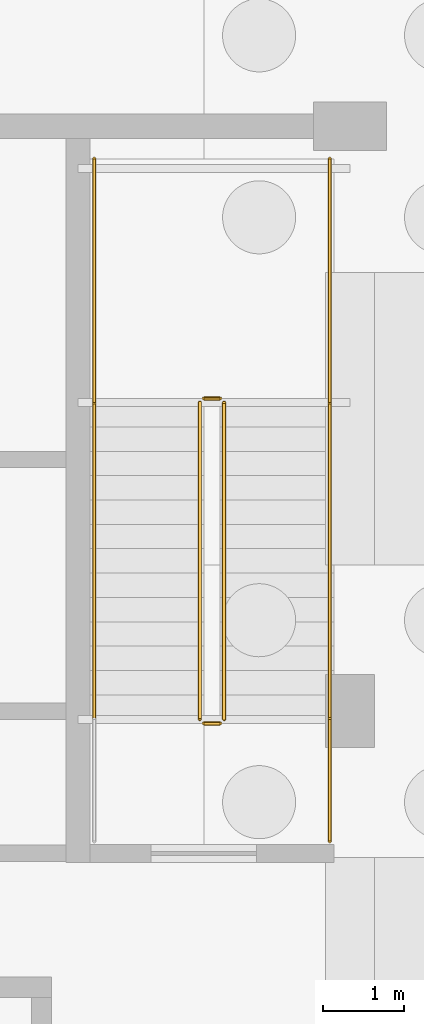
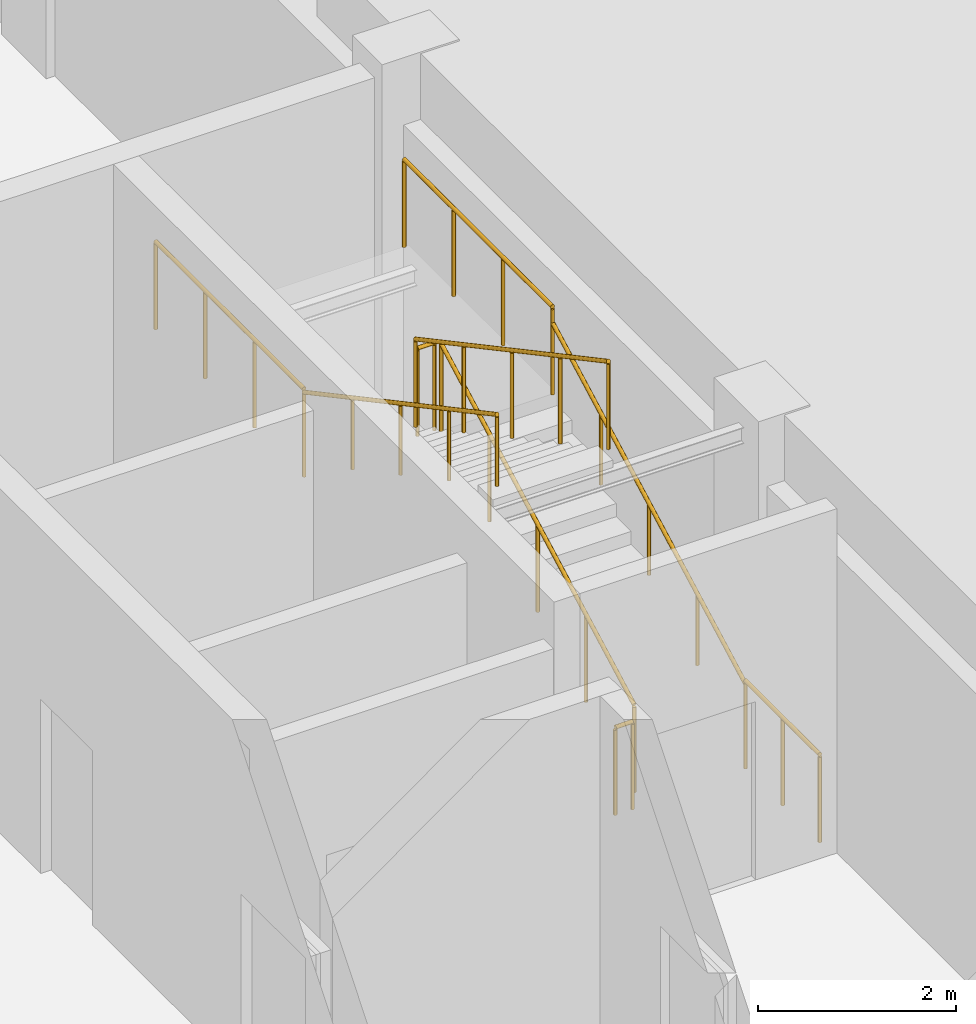
# One storey, part 42 of 51: 9 railings.
"""IFC4 building model written with IfcOpenShell, lengths in metres."""

import ifcopenshell
import ifcopenshell.guid

model = None  # the IFC model being written
_history = None  # IfcOwnerHistory: only IFC2X3 demands one
_inside = {}  # id of a spatial element -> (the spatial element, [elements in it])
_under = {}  # id of a project, library or spatial element -> (it, [spatial elements below it])
_declared = {}  # id of a project -> (the project, [libraries it declares])
_typed = {}  # id of a type object -> (the type object, [elements of that type])
_made_of = {}  # id of a material, layer set ... -> (it, [elements and type objects made of it])


def new_model(schema):
    """Start an empty IFC model of exactly this schema.

    Asked for "IFC4X3", IfcOpenShell would pick the latest addendum, in which some entities
    have other attributes; the version numbers below select the first issue.
    IFC2X3 requires an IfcOwnerHistory on every rooted entity: one is made here for all.
    """
    global model, _history
    if schema == "IFC4X3":
        model = ifcopenshell.file(schema_version=(4, 3, 0, 0))
    else:
        model = ifcopenshell.file(schema=schema)
    _inside.clear()
    _under.clear()
    _declared.clear()
    _typed.clear()
    _made_of.clear()
    _history = None
    if model.schema == "IFC2X3":
        org = make("IfcOrganization", Name="unknown")
        user = make(
            "IfcPersonAndOrganization",
            ThePerson=make("IfcPerson", FamilyName="unknown"),
            TheOrganization=org,
        )
        app = make(
            "IfcApplication",
            ApplicationDeveloper=org,
            Version="unknown",
            ApplicationFullName="unknown",
            ApplicationIdentifier="unknown",
        )
        _history = make(
            "IfcOwnerHistory",
            OwningUser=user,
            OwningApplication=app,
            ChangeAction="ADDED",
            CreationDate=0,
        )
    return model


def make(cls, **values):
    """One entity of the class cls with the attributes given. An attribute that is None is left unset."""
    return model.create_entity(
        cls, **{name: value for name, value in values.items() if value is not None}
    )


def rooted(cls, **values):
    """An entity with a GlobalId (a new one), such as an element, a storey or a relation."""
    return make(cls, GlobalId=ifcopenshell.guid.new(), OwnerHistory=_history, **values)


def si_unit(unit_type, name, prefix=None):
    """IfcSIUnit, for example si_unit("LENGTHUNIT", "METRE", prefix="MILLI")."""
    return make("IfcSIUnit", UnitType=unit_type, Prefix=prefix, Name=name)


def assignment(units):
    """IfcUnitAssignment: the units of a project."""
    return None if units is None else make("IfcUnitAssignment", Units=units)


def point(xyz):
    """IfcCartesianPoint."""
    return None if xyz is None else make("IfcCartesianPoint", Coordinates=xyz)


def direction(xyz):
    """IfcDirection."""
    return None if xyz is None else make("IfcDirection", DirectionRatios=xyz)


def frame(location, z_axis=None, x_axis=None):
    """IfcAxis2Placement3D, a coordinate frame: its origin and axes. An axis left out is left unset."""
    return make(
        "IfcAxis2Placement3D",
        Location=point(location),
        Axis=direction(z_axis),
        RefDirection=direction(x_axis),
    )


def frame_2d(location, x_axis=None):
    """IfcAxis2Placement2D, a coordinate frame in the plane: its origin and x axis."""
    return make(
        "IfcAxis2Placement2D", Location=point(location), RefDirection=direction(x_axis)
    )


def origin():
    """The frame at (0, 0, 0) with its axes left unset."""
    return frame((0.0, 0.0, 0.0))


def origin_2d():
    """The frame at (0, 0) in the plane with its x axis left unset."""
    return frame_2d((0.0, 0.0))


def place(relative_to, where):
    """IfcLocalPlacement: puts the frame where relative to a parent placement (None: the world)."""
    return make(
        "IfcLocalPlacement", PlacementRelTo=relative_to, RelativePlacement=where
    )


def context(
    kind, dimensions, precision=None, world=None, true_north=None, identifier=None
):
    """IfcGeometricRepresentationContext, for example the 3D "Model" context."""
    return make(
        "IfcGeometricRepresentationContext",
        ContextIdentifier=identifier,
        ContextType=kind,
        CoordinateSpaceDimension=dimensions,
        Precision=precision,
        WorldCoordinateSystem=world,
        TrueNorth=true_north,
    )


def subcontext(parent, identifier, kind, view, scale=None):
    """IfcGeometricRepresentationSubContext, for example "Body" below "Model"."""
    return make(
        "IfcGeometricRepresentationSubContext",
        ContextIdentifier=identifier,
        ContextType=kind,
        ParentContext=parent,
        TargetScale=scale,
        TargetView=view,
    )


def project(units=None, contexts=None):
    """IfcProject with its units and contexts."""
    return rooted(
        "IfcProject",
        Name="project",
        RepresentationContexts=contexts,
        UnitsInContext=assignment(units),
    )


def spatial(cls, under=None, at=None, **own):
    """A site, building, storey or space (cls), placed at a placement, below another one or the project."""
    s = rooted(cls, ObjectPlacement=at, **own)
    if under is not None:
        _under.setdefault(under.id(), (under, []))[1].append(s)
    return s


def profile(cls, at=None, kind="AREA", **sizes):
    """A parametric profile (cls). Its sizes go by their IFC names, for example OverallWidth=200.0."""
    return make(cls, ProfileType=kind, Position=at, **sizes)


def circle(**sizes):
    """IfcCircleProfileDef."""
    return profile("IfcCircleProfileDef", **sizes)


def extrude(swept, where, along, depth):
    """IfcExtrudedAreaSolid: the profile swept, set in the frame where, extruded along a direction by depth."""
    return make(
        "IfcExtrudedAreaSolid",
        SweptArea=swept,
        Position=where,
        ExtrudedDirection=direction(along),
        Depth=depth,
    )


def shape(context_of_items, identifier, shape_type, items):
    """IfcShapeRepresentation: the items that make up one representation, for example the "Body"."""
    return make(
        "IfcShapeRepresentation",
        ContextOfItems=context_of_items,
        RepresentationIdentifier=identifier,
        RepresentationType=shape_type,
        Items=items,
    )


def material(Name=None, Category=None):
    """IfcMaterial."""
    return make("IfcMaterial", Name=Name, Category=Category)


def made_of(thing, what):
    """Note that an element or type object is made of a material, layer set ...; save() writes the relation."""
    if what is not None:
        _made_of.setdefault(what.id(), (what, []))[1].append(thing)
    return thing


def type_object(cls, material=None, **own):
    """A type object (cls), such as IfcWallType, which elements share."""
    return made_of(rooted(cls, **own), material)


def element(
    cls,
    number,
    at=None,
    inside=None,
    cuts=None,
    type_object=None,
    material=None,
    context=None,
    identifier="Body",
    shape_type=None,
    held_by="IfcProductDefinitionShape",
    body=None,
    shapes=None,
    **own,
):
    """One element of the class cls, such as IfcWall. Its Tag is "e" and its number.

    at: its placement. inside: the storey or other place that contains it. cuts: it is an
    opening in that element (IfcRelVoidsElement). A single representation is given by context,
    identifier, shape_type and body (its items); several are given by shapes. held_by: the class
    of the entity that holds the representations. save() writes the other relations.
    """
    e = rooted(cls, Tag="e%d" % number, ObjectPlacement=at, **own)
    if body is not None:
        shapes = [shape(context, identifier, shape_type, body)]
    if shapes is not None:
        e.Representation = make(held_by, Representations=shapes)
    if inside is not None:
        _inside.setdefault(inside.id(), (inside, []))[1].append(e)
    if cuts is not None:
        rooted(
            "IfcRelVoidsElement", RelatingBuildingElement=cuts, RelatedOpeningElement=e
        )
    if type_object is not None:
        _typed.setdefault(type_object.id(), (type_object, []))[1].append(e)
    return made_of(e, material)


def aggregate(whole, parts):
    """IfcRelAggregates: a whole, such as a stair, and the parts it consists of."""
    return rooted("IfcRelAggregates", RelatingObject=whole, RelatedObjects=parts)


def save(model, path):
    """Write the relations noted so far, then the file.

    IfcRelAggregates (storeys below a building ...), IfcRelContainedInSpatialStructure (elements
    in a storey), IfcRelDefinesByType, IfcRelAssociatesMaterial and IfcRelDeclares: one each for
    every whole, place, type object, material and project.
    """
    for whole, parts in _under.values():
        aggregate(whole, parts)
    for where, things in _inside.values():
        rooted(
            "IfcRelContainedInSpatialStructure",
            RelatedElements=things,
            RelatingStructure=where,
        )
    for kind, things in _typed.values():
        rooted("IfcRelDefinesByType", RelatedObjects=things, RelatingType=kind)
    for what, things in _made_of.values():
        rooted("IfcRelAssociatesMaterial", RelatedObjects=things, RelatingMaterial=what)
    for by, libraries in _declared.values():
        rooted("IfcRelDeclares", RelatingContext=by, RelatedDefinitions=libraries)
    model.write(path)


model = new_model("IFC4")

# Units and contexts
model_context = context("Model", 3, precision=1e-05, world=origin(), true_north=direction((0.0, 1.0)))
body_context = subcontext(model_context, "Body", "Model", "MODEL_VIEW")
ifc_project = project(units=[si_unit("LENGTHUNIT", "METRE"), si_unit("AREAUNIT", "SQUARE_METRE"), si_unit("VOLUMEUNIT", "CUBIC_METRE"), si_unit("PLANEANGLEUNIT", "RADIAN"), si_unit("MASSUNIT", "GRAM", prefix="KILO")], contexts=[model_context])

# Site, building, storey
site_placement = place(None, origin())
site = spatial("IfcSite", under=ifc_project, at=site_placement, CompositionType="ELEMENT")
building_placement = place(site_placement, origin())
building = spatial("IfcBuilding", under=site, at=building_placement, Name="Zlatovets Crest Museum", CompositionType="ELEMENT")
storey_placement = place(building_placement, frame((0.0, 0.0, -4.5)))
storey = spatial("IfcBuildingStorey", under=building, at=storey_placement, Name="B1", CompositionType="ELEMENT", Elevation=-4.5)

# Railings
ifc_material_1 = material(Name="Painted steel safety guardrail", Category="steel")
railing_type_1 = type_object("IfcRailingType", Name="StairGuard_SG01", PredefinedType="GUARDRAIL", material=ifc_material_1)
railing_1_placement = place(storey_placement, frame((34.449951171875, 64.699951171875, 0.16064453125)))
element("IfcRailing", 1, at=railing_1_placement, inside=storey, type_object=railing_type_1, Name="B1 ST4 stair guard 1", PredefinedType="GUARDRAIL", context=body_context, shape_type="SweptSolid", body=[
    extrude(circle(Radius=0.02392578125, at=origin_2d()), frame((0.0, 0.0, 1.076171875), z_axis=(0.0, 0.881480790326, 0.47221988129), x_axis=(-1.0, 0.0, 0.0)), (0.0, 0.0, 1.0), 4.424560546875),
    extrude(circle(Radius=0.02099609375, at=origin_2d()), origin(), (0.0, 0.0, 1.0), 1.052001953125),
    extrude(circle(Radius=0.02099609375, at=origin_2d()), frame((0.0, 0.97509765625, 0.5224609375)), (0.0, 0.0, 1.0), 1.052001953125),
    extrude(circle(Radius=0.02099609375, at=origin_2d()), frame((0.0, 1.9501953125, 1.044677734375)), (0.0, 0.0, 1.0), 1.052001953125),
    extrude(circle(Radius=0.02099609375, at=origin_2d()), frame((0.0, 2.925048828125, 1.56689453125)), (0.0, 0.0, 1.0), 1.052001953125),
    extrude(circle(Radius=0.02099609375, at=origin_2d()), frame((0.0, 3.900146484375, 2.08935546875)), (0.0, 0.0, 1.0), 1.052001953125),
])
railing_2_placement = place(storey_placement, frame((34.39990234375, 68.64990234375, 2.25)))
element("IfcRailing", 2, at=railing_2_placement, inside=storey, type_object=railing_type_1, Name="B1 ST4 stair guard 2", PredefinedType="GUARDRAIL", context=body_context, shape_type="SweptSolid", body=[
    extrude(circle(Radius=0.02392578125, at=origin_2d()), frame((0.0, 0.0, 1.076171875), z_axis=(-1.0, 0.0, 0.0), x_axis=(0.0, -1.0, 0.0)), (0.0, 0.0, 1.0), 0.199951171875),
    extrude(circle(Radius=0.02099609375, at=origin_2d()), origin(), (0.0, 0.0, 1.0), 1.052001953125),
    extrude(circle(Radius=0.02099609375, at=origin_2d()), frame((-0.199951171875, 0.0, 0.0)), (0.0, 0.0, 1.0), 1.052001953125),
])
for number, where, name in (
    (3, (35.75, 68.60009765625, 2.25), "B1 ST4 stair guard 3"),
    (4, (32.85009765625, 68.60009765625, 2.25), "B1 ST4 stair guard 4"),
):
    element("IfcRailing", number, at=place(storey_placement, frame(where)), inside=storey, type_object=railing_type_1, Name=name, PredefinedType="GUARDRAIL", context=body_context, shape_type="SweptSolid", body=[
        extrude(circle(Radius=0.02392578125, at=origin_2d()), frame((0.0, 0.0, 1.076171875), z_axis=(0.0, 1.0, 0.0), x_axis=(-1.0, 0.0, 0.0)), (0.0, 0.0, 1.0), 3.0),
        extrude(circle(Radius=0.02099609375, at=origin_2d()), origin(), (0.0, 0.0, 1.0), 1.052001953125),
        extrude(circle(Radius=0.02099609375, at=origin_2d()), frame((0.0, 1.0, 0.0)), (0.0, 0.0, 1.0), 1.052001953125),
        extrude(circle(Radius=0.02099609375, at=origin_2d()), frame((0.0, 2.0, 0.0)), (0.0, 0.0, 1.0), 1.052001953125),
        extrude(circle(Radius=0.02099609375, at=origin_2d()), frame((0.0, 3.0, 0.0)), (0.0, 0.0, 1.0), 1.052001953125),
    ])
railing_3_placement = place(storey_placement, frame((34.14990234375, 68.60009765625, 2.41064453125)))
element("IfcRailing", 5, at=railing_3_placement, inside=storey, type_object=railing_type_1, Name="B1 ST4 stair guard 5", PredefinedType="GUARDRAIL", context=body_context, shape_type="SweptSolid", body=[
    extrude(circle(Radius=0.02392578125, at=origin_2d()), frame((0.0, 0.0, 1.076171875), z_axis=(0.0, -0.881480790326, 0.47221988129), x_axis=(1.0, 0.0, 0.0)), (0.0, 0.0, 1.0), 4.424560546875),
    extrude(circle(Radius=0.02099609375, at=origin_2d()), origin(), (0.0, 0.0, 1.0), 1.052001953125),
    extrude(circle(Radius=0.02099609375, at=origin_2d()), frame((0.0, -0.97509765625, 0.5224609375)), (0.0, 0.0, 1.0), 1.052001953125),
    extrude(circle(Radius=0.02099609375, at=origin_2d()), frame((0.0, -1.9501953125, 1.044677734375)), (0.0, 0.0, 1.0), 1.052001953125),
    extrude(circle(Radius=0.02099609375, at=origin_2d()), frame((0.0, -2.925048828125, 1.56689453125)), (0.0, 0.0, 1.0), 1.052001953125),
    extrude(circle(Radius=0.02099609375, at=origin_2d()), frame((0.0, -3.900146484375, 2.08935546875)), (0.0, 0.0, 1.0), 1.052001953125),
])
railing_4_placement = place(storey_placement, frame((34.39990234375, 64.64990234375, 0.0)))
element("IfcRailing", 6, at=railing_4_placement, inside=storey, type_object=railing_type_1, Name="B1 ST4 stair guard 6", PredefinedType="GUARDRAIL", context=body_context, shape_type="SweptSolid", body=[
    extrude(circle(Radius=0.02392578125, at=origin_2d()), frame((0.0, 0.0, 1.076171875), z_axis=(-1.0, 0.0, 0.0), x_axis=(0.0, -1.0, 0.0)), (0.0, 0.0, 1.0), 0.199951171875),
    extrude(circle(Radius=0.02099609375, at=origin_2d()), origin(), (0.0, 0.0, 1.0), 1.052001953125),
    extrude(circle(Radius=0.02099609375, at=origin_2d()), frame((-0.199951171875, 0.0, 0.0)), (0.0, 0.0, 1.0), 1.052001953125),
])
railing_5_placement = place(storey_placement, frame((35.75, 63.199951171875, 0.0)))
element("IfcRailing", 7, at=railing_5_placement, inside=storey, type_object=railing_type_1, Name="B1 ST4 stair guard 7", PredefinedType="GUARDRAIL", context=body_context, shape_type="SweptSolid", body=[
    extrude(circle(Radius=0.02392578125, at=origin_2d()), frame((0.0, 0.0, 1.076171875), z_axis=(0.0, 1.0, 0.0), x_axis=(-1.0, 0.0, 0.0)), (0.0, 0.0, 1.0), 1.5),
    extrude(circle(Radius=0.02099609375, at=origin_2d()), origin(), (0.0, 0.0, 1.0), 1.052001953125),
    extrude(circle(Radius=0.02099609375, at=origin_2d()), frame((0.0, 0.75, 0.0)), (0.0, 0.0, 1.0), 1.052001953125),
    extrude(circle(Radius=0.02099609375, at=origin_2d()), frame((0.0, 1.5, 0.0)), (0.0, 0.0, 1.0), 1.052001953125),
])
ifc_material_2 = material(Name="Brushed bronze stair handrail")
railing_type_2 = type_object("IfcRailingType", Name="StairHandrail_SH01", PredefinedType="HANDRAIL", material=ifc_material_2)
railing_6_placement = place(storey_placement, frame((35.75, 64.699951171875, 0.16064453125)))
element("IfcRailing", 8, at=railing_6_placement, inside=storey, type_object=railing_type_2, Name="B1 ST4 stair handrail 1", PredefinedType="HANDRAIL", context=body_context, shape_type="SweptSolid", body=[
    extrude(circle(Radius=0.02392578125, at=origin_2d()), frame((0.0, 0.0, 0.8759765625), z_axis=(0.0, 0.881480790326, 0.47221988129), x_axis=(-1.0, 0.0, 0.0)), (0.0, 0.0, 1.0), 4.424560546875),
    extrude(circle(Radius=0.02099609375, at=origin_2d()), origin(), (0.0, 0.0, 1.0), 0.851806640625),
    extrude(circle(Radius=0.02099609375, at=origin_2d()), frame((0.0, 0.97509765625, 0.5224609375)), (0.0, 0.0, 1.0), 0.851806640625),
    extrude(circle(Radius=0.02099609375, at=origin_2d()), frame((0.0, 1.9501953125, 1.044677734375)), (0.0, 0.0, 1.0), 0.851806640625),
    extrude(circle(Radius=0.02099609375, at=origin_2d()), frame((0.0, 2.925048828125, 1.56689453125)), (0.0, 0.0, 1.0), 0.851806640625),
    extrude(circle(Radius=0.02099609375, at=origin_2d()), frame((0.0, 3.900146484375, 2.08935546875)), (0.0, 0.0, 1.0), 0.851806640625),
])
railing_7_placement = place(storey_placement, frame((32.85009765625, 68.60009765625, 2.41064453125)))
element("IfcRailing", 9, at=railing_7_placement, inside=storey, type_object=railing_type_2, Name="B1 ST4 stair handrail 2", PredefinedType="HANDRAIL", context=body_context, shape_type="SweptSolid", body=[
    extrude(circle(Radius=0.02392578125, at=origin_2d()), frame((0.0, 0.0, 0.8759765625), z_axis=(0.0, -0.881480790326, 0.47221988129), x_axis=(1.0, 0.0, 0.0)), (0.0, 0.0, 1.0), 4.424560546875),
    extrude(circle(Radius=0.02099609375, at=origin_2d()), origin(), (0.0, 0.0, 1.0), 0.851806640625),
    extrude(circle(Radius=0.02099609375, at=origin_2d()), frame((0.0, -0.97509765625, 0.5224609375)), (0.0, 0.0, 1.0), 0.851806640625),
    extrude(circle(Radius=0.02099609375, at=origin_2d()), frame((0.0, -1.9501953125, 1.044677734375)), (0.0, 0.0, 1.0), 0.851806640625),
    extrude(circle(Radius=0.02099609375, at=origin_2d()), frame((0.0, -2.925048828125, 1.56689453125)), (0.0, 0.0, 1.0), 0.851806640625),
    extrude(circle(Radius=0.02099609375, at=origin_2d()), frame((0.0, -3.900146484375, 2.08935546875)), (0.0, 0.0, 1.0), 0.851806640625),
])

save(model, "model.ifc")
